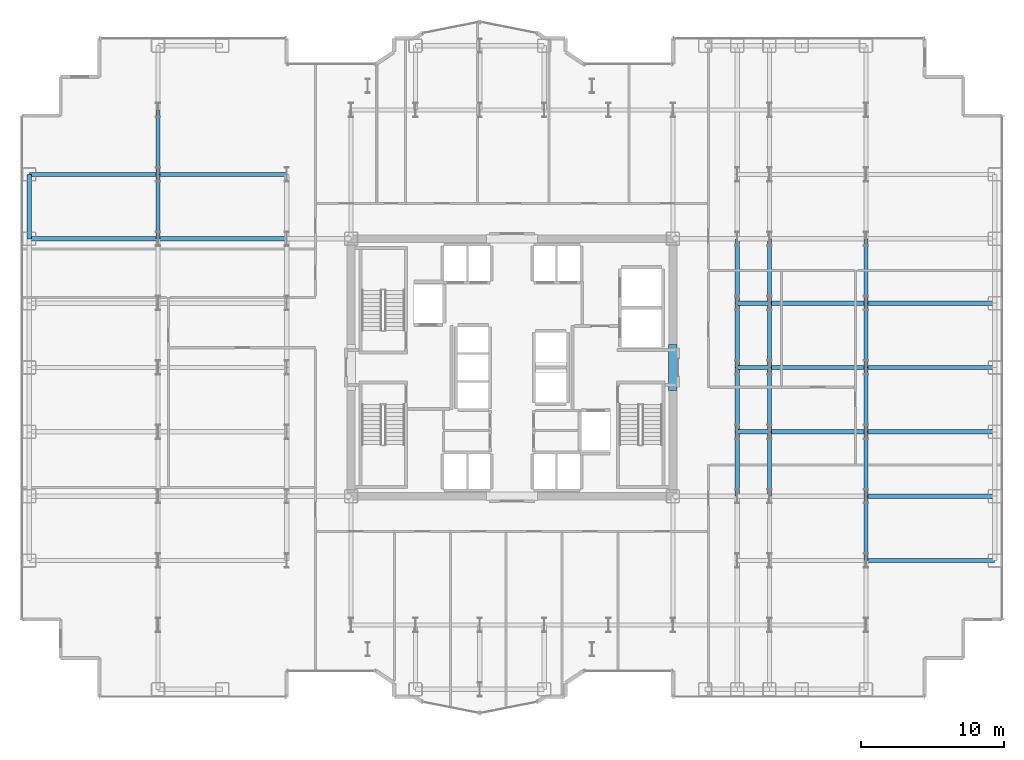
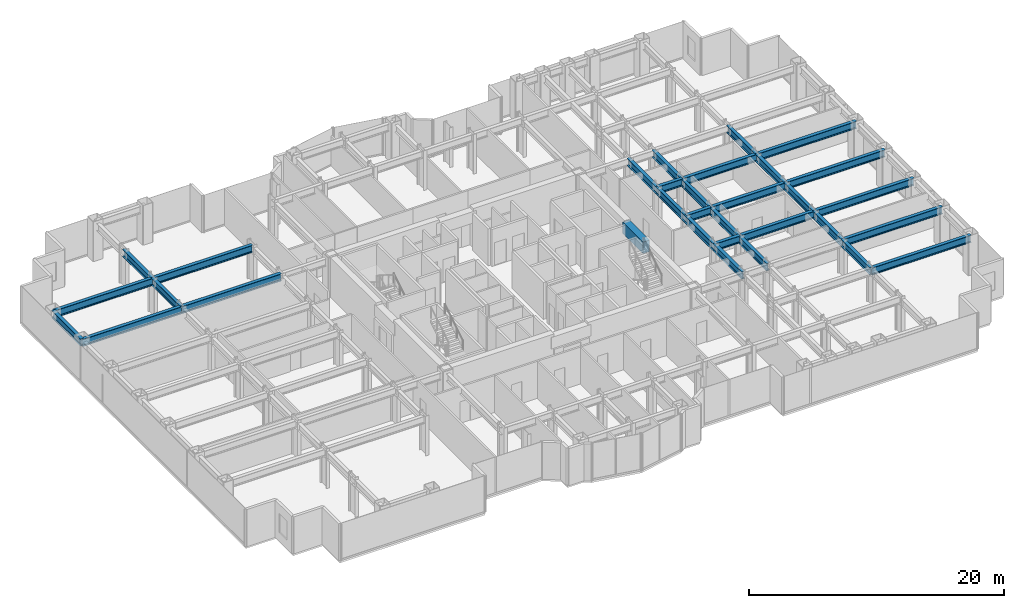
# One storey, part 8 of 26: 32 beams.
"""IFC4 building model written with IfcOpenShell, lengths in metres."""

from ifc_helpers import new_model, si_unit, direction, frame, origin, origin_2d, place, context, subcontext, project, spatial, rectangle, i_section, extrude, source, transform, mapped, material, material_profile, profile_set, type_object, element, save


model = new_model("IFC4")

# Units and contexts
model_context = context("Model", 3, precision=1e-05, world=origin(), true_north=direction((0.0, 1.0)))
body_context = subcontext(model_context, "Body", "Model", "MODEL_VIEW")
ifc_project = project(units=[si_unit("LENGTHUNIT", "METRE"), si_unit("AREAUNIT", "SQUARE_METRE"), si_unit("VOLUMEUNIT", "CUBIC_METRE"), si_unit("PLANEANGLEUNIT", "RADIAN"), si_unit("MASSUNIT", "GRAM", prefix="KILO")], contexts=[model_context])

# Site, building, storey
site_placement = place(None, origin())
site = spatial("IfcSite", under=ifc_project, at=site_placement, CompositionType="ELEMENT")
building_placement = place(site_placement, origin())
building = spatial("IfcBuilding", under=site, at=building_placement, Name="Nefas-Gora Pilgrimage Tower", CompositionType="ELEMENT")
storey_placement = place(building_placement, frame((0.0, 0.0, 94.60009765625)))
storey = spatial("IfcBuildingStorey", under=building, at=storey_placement, Name="L22", CompositionType="ELEMENT", Elevation=94.60009765625)

# Beams
ifc_material_1 = material(Name="Concrete C60/75", Category="concrete")
ifc_material_profile_1 = material_profile(ifc_material_1, rectangle(XDim=0.60009765625, YDim=1.10009765625, at=origin_2d()), Name="RC 600x1100")
ifc_profile_set_1 = profile_set([ifc_material_profile_1], Name="Concrete C60/75")
beam_type_1 = type_object("IfcBeamType", Name="BM-LIN-RC1100", PredefinedType="LINTEL", material=ifc_profile_set_1)
shared_shape_1 = source(origin(), body_context, "Body", "SweptSolid", [
    extrude(rectangle(XDim=0.60009765625, YDim=1.10009765625, at=origin_2d()), origin(), (0.0, 0.0, 1.0), 3.2001953125),
])
beam_1_placement = place(storey_placement, frame((11.25, -1.60009765625, 3.0), z_axis=(0.0, 1.0, 0.0), x_axis=(-1.0, 0.0, 0.0)))
element("IfcBeam", 1, at=beam_1_placement, inside=storey, type_object=beam_type_1, Name="L22 Core Coupling Lintel Beam E", PredefinedType="LINTEL", context=body_context, shape_type="MappedRepresentation", body=[
    mapped(shared_shape_1, transform((0.0, 0.0, 0.0), x_axis=(1.0, 0.0, 0.0), y_axis=(0.0, 1.0, 0.0), z_axis=(0.0, 0.0, 1.0), scale=1.0)),
])
ifc_material_2 = material(Name="Steel S355", Category="steel")
ifc_material_profile_2 = material_profile(ifc_material_2, i_section(OverallWidth=0.300048828125, OverallDepth=0.699951171875, WebThickness=0.01708984375, FlangeThickness=0.031982421875, FilletRadius=0.027099609375, at=origin_2d()), Name="HEB 700")
ifc_profile_set_2 = profile_set([ifc_material_profile_2], Name="Steel S355")
beam_type_2 = type_object("IfcBeamType", Name="BM-SPN-HEB600", PredefinedType="SPANDREL", material=ifc_profile_set_2)
shared_shape_2 = source(origin(), body_context, "Body", "SweptSolid", [
    extrude(i_section(OverallWidth=0.300048828125, OverallDepth=0.699951171875, WebThickness=0.01708984375, FlangeThickness=0.031982421875, FilletRadius=0.027099609375, at=origin_2d()), origin(), (0.0, 0.0, 1.0), 4.5),
])
beam_2_placement = place(storey_placement, frame((-33.75, 9.0, 3.199951171875), z_axis=(0.0, 1.0, 0.0), x_axis=(-1.0, 0.0, 0.0)))
element("IfcBeam", 2, at=beam_2_placement, inside=storey, type_object=beam_type_2, Name="L22 SP-01 beam", PredefinedType="SPANDREL", context=body_context, shape_type="MappedRepresentation", body=[
    mapped(shared_shape_2, transform((0.0, 0.0, 0.0), x_axis=(1.0, 0.0, 0.0), y_axis=(0.0, 1.0, 0.0), z_axis=(0.0, 0.0, 1.0), scale=1.0)),
])
ifc_material_profile_3 = material_profile(ifc_material_2, i_section(OverallWidth=0.300048828125, OverallDepth=0.699951171875, WebThickness=0.01708984375, FlangeThickness=0.031982421875, FilletRadius=0.027099609375, at=origin_2d()), Name="HEB 700")
ifc_profile_set_3 = profile_set([ifc_material_profile_3], Name="Steel S355")
beam_type_3 = type_object("IfcBeamType", Name="BM-GIR-HEB700", PredefinedType="BEAM", material=ifc_profile_set_3)
shared_shape_3 = source(origin(), body_context, "Body", "SweptSolid", [
    extrude(i_section(OverallWidth=0.300048828125, OverallDepth=0.699951171875, WebThickness=0.01708984375, FlangeThickness=0.031982421875, FilletRadius=0.027099609375, at=origin_2d()), origin(), (0.0, 0.0, 1.0), 9.0),
])
for number, where, z_axis, x_axis, name in (
    (3, (-33.75, 9.0, 3.199951171875), (1.0, 0.0, 0.0), (0.0, 1.0, 0.0), "L22 G-02 beam"),
    (4, (-33.75, 13.5, 3.199951171875), (1.0, 0.0, 0.0), (0.0, 1.0, 0.0), "L22 G-02 beam"),
    (5, (-24.75, 9.0, 3.199951171875), (1.0, 0.0, 0.0), (0.0, 1.0, 0.0), "L22 G-02 beam"),
    (6, (-24.75, 13.5, 3.199951171875), (1.0, 0.0, 0.0), (0.0, 1.0, 0.0), "L22 G-02 beam"),
    (7, (24.75, -13.5, 3.199951171875), (1.0, 0.0, 0.0), (0.0, 1.0, 0.0), "L22 G-02 beam"),
    (8, (24.75, -9.0, 3.199951171875), (1.0, 0.0, 0.0), (0.0, 1.0, 0.0), "L22 G-02 beam"),
    (9, (24.75, -4.5, 3.199951171875), (1.0, 0.0, 0.0), (0.0, 1.0, 0.0), "L22 G-02 beam"),
    (10, (24.75, 0.0, 3.199951171875), (1.0, 0.0, 0.0), (0.0, 1.0, 0.0), "L22 G-02 beam"),
    (11, (24.75, 4.5, 3.199951171875), (1.0, 0.0, 0.0), (0.0, 1.0, 0.0), "L22 G-02 beam"),
):
    element("IfcBeam", number, at=place(storey_placement, frame(where, z_axis=z_axis, x_axis=x_axis)), inside=storey, type_object=beam_type_3, Name=name, PredefinedType="BEAM", context=body_context, shape_type="MappedRepresentation", body=[
        mapped(shared_shape_3, transform((0.0, 0.0, 0.0), x_axis=(1.0, 0.0, 0.0), y_axis=(0.0, 1.0, 0.0), z_axis=(0.0, 0.0, 1.0), scale=1.0)),
    ])
shared_shape_4 = source(origin(), body_context, "Body", "SweptSolid", [
    extrude(i_section(OverallWidth=0.300048828125, OverallDepth=0.699951171875, WebThickness=0.01708984375, FlangeThickness=0.031982421875, FilletRadius=0.027099609375, at=origin_2d()), origin(), (0.0, 0.0, 1.0), 4.5),
])
for number, where, z_axis, x_axis, name in (
    (12, (-24.75, 9.0, 3.199951171875), (0.0, 1.0, 0.0), (-1.0, 0.0, 0.0), "L22 G-02 beam"),
    (13, (-24.75, 13.5, 3.199951171875), (0.0, 1.0, 0.0), (-1.0, 0.0, 0.0), "L22 G-02 beam"),
    (14, (15.75, -9.0, 3.199951171875), (0.0, 1.0, 0.0), (-1.0, 0.0, 0.0), "L22 G-02 beam"),
    (15, (15.75, -4.5, 3.199951171875), (0.0, 1.0, 0.0), (-1.0, 0.0, 0.0), "L22 G-02 beam"),
    (16, (15.75, 0.0, 3.199951171875), (0.0, 1.0, 0.0), (-1.0, 0.0, 0.0), "L22 G-02 beam"),
    (17, (15.75, 4.5, 3.199951171875), (0.0, 1.0, 0.0), (-1.0, 0.0, 0.0), "L22 G-02 beam"),
    (18, (18.0, -9.0, 3.199951171875), (0.0, 1.0, 0.0), (-1.0, 0.0, 0.0), "L22 G-02 beam"),
    (19, (18.0, -4.5, 3.199951171875), (0.0, 1.0, 0.0), (-1.0, 0.0, 0.0), "L22 G-02 beam"),
    (20, (18.0, 0.0, 3.199951171875), (0.0, 1.0, 0.0), (-1.0, 0.0, 0.0), "L22 G-02 beam"),
    (21, (18.0, 4.5, 3.199951171875), (0.0, 1.0, 0.0), (-1.0, 0.0, 0.0), "L22 G-02 beam"),
    (22, (24.75, -13.5, 3.199951171875), (0.0, 1.0, 0.0), (-1.0, 0.0, 0.0), "L22 G-02 beam"),
    (23, (24.75, -9.0, 3.199951171875), (0.0, 1.0, 0.0), (-1.0, 0.0, 0.0), "L22 G-02 beam"),
    (24, (24.75, -4.5, 3.199951171875), (0.0, 1.0, 0.0), (-1.0, 0.0, 0.0), "L22 G-02 beam"),
    (25, (24.75, 0.0, 3.199951171875), (0.0, 1.0, 0.0), (-1.0, 0.0, 0.0), "L22 G-02 beam"),
    (26, (24.75, 4.5, 3.199951171875), (0.0, 1.0, 0.0), (-1.0, 0.0, 0.0), "L22 G-02 beam"),
):
    element("IfcBeam", number, at=place(storey_placement, frame(where, z_axis=z_axis, x_axis=x_axis)), inside=storey, type_object=beam_type_3, Name=name, PredefinedType="BEAM", context=body_context, shape_type="MappedRepresentation", body=[
        mapped(shared_shape_4, transform((0.0, 0.0, 0.0), x_axis=(1.0, 0.0, 0.0), y_axis=(0.0, 1.0, 0.0), z_axis=(0.0, 0.0, 1.0), scale=1.0)),
    ])
shared_shape_5 = source(origin(), body_context, "Body", "SweptSolid", [
    extrude(i_section(OverallWidth=0.300048828125, OverallDepth=0.699951171875, WebThickness=0.01708984375, FlangeThickness=0.031982421875, FilletRadius=0.027099609375, at=origin_2d()), origin(), (0.0, 0.0, 1.0), 6.75),
])
for number, where, z_axis, x_axis, name in (
    (27, (18.0, -4.5, 3.199951171875), (1.0, 0.0, 0.0), (0.0, 1.0, 0.0), "L22 G-02 beam"),
    (28, (18.0, 0.0, 3.199951171875), (1.0, 0.0, 0.0), (0.0, 1.0, 0.0), "L22 G-02 beam"),
    (29, (18.0, 4.5, 3.199951171875), (1.0, 0.0, 0.0), (0.0, 1.0, 0.0), "L22 G-02 beam"),
):
    element("IfcBeam", number, at=place(storey_placement, frame(where, z_axis=z_axis, x_axis=x_axis)), inside=storey, type_object=beam_type_3, Name=name, PredefinedType="BEAM", context=body_context, shape_type="MappedRepresentation", body=[
        mapped(shared_shape_5, transform((0.0, 0.0, 0.0), x_axis=(1.0, 0.0, 0.0), y_axis=(0.0, 1.0, 0.0), z_axis=(0.0, 0.0, 1.0), scale=1.0)),
    ])
shared_shape_6 = source(origin(), body_context, "Body", "SweptSolid", [
    extrude(i_section(OverallWidth=0.300048828125, OverallDepth=0.699951171875, WebThickness=0.01708984375, FlangeThickness=0.031982421875, FilletRadius=0.027099609375, at=origin_2d()), origin(), (0.0, 0.0, 1.0), 2.25),
])
for number, where, z_axis, x_axis, name in (
    (30, (15.75, -4.5, 3.199951171875), (1.0, 0.0, 0.0), (0.0, 1.0, 0.0), "L22 G-02 beam"),
    (31, (15.75, 0.0, 3.199951171875), (1.0, 0.0, 0.0), (0.0, 1.0, 0.0), "L22 G-02 beam"),
    (32, (15.75, 4.5, 3.199951171875), (1.0, 0.0, 0.0), (0.0, 1.0, 0.0), "L22 G-02 beam"),
):
    element("IfcBeam", number, at=place(storey_placement, frame(where, z_axis=z_axis, x_axis=x_axis)), inside=storey, type_object=beam_type_3, Name=name, PredefinedType="BEAM", context=body_context, shape_type="MappedRepresentation", body=[
        mapped(shared_shape_6, transform((0.0, 0.0, 0.0), x_axis=(1.0, 0.0, 0.0), y_axis=(0.0, 1.0, 0.0), z_axis=(0.0, 0.0, 1.0), scale=1.0)),
    ])

save(model, "model.ifc")
